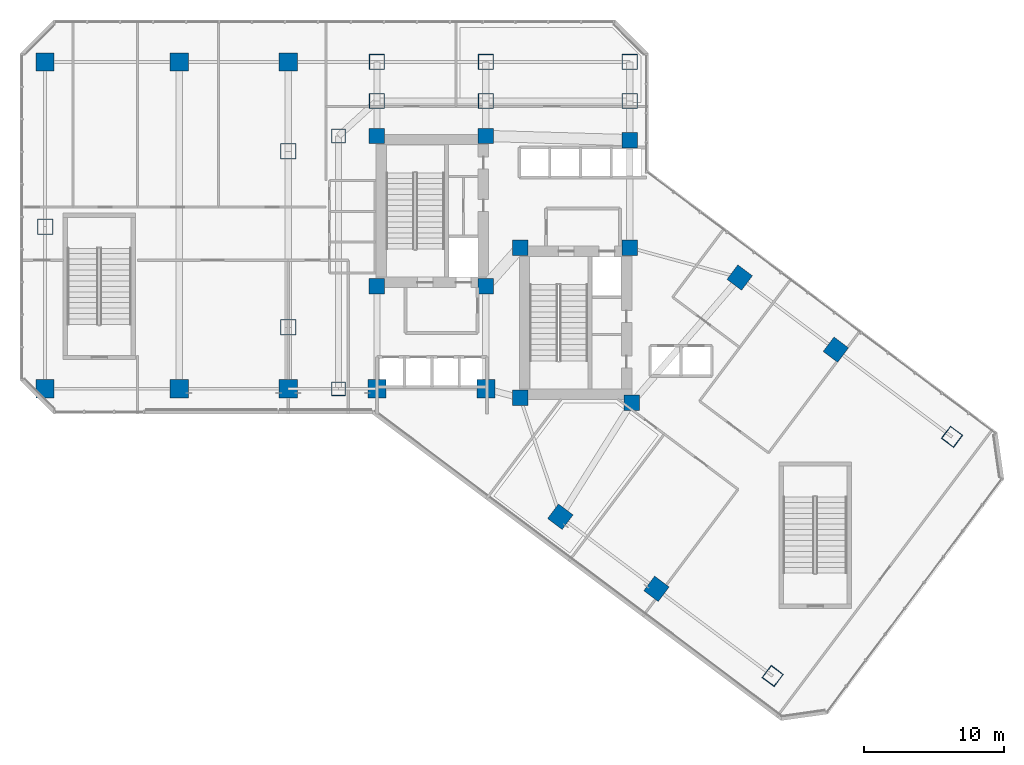
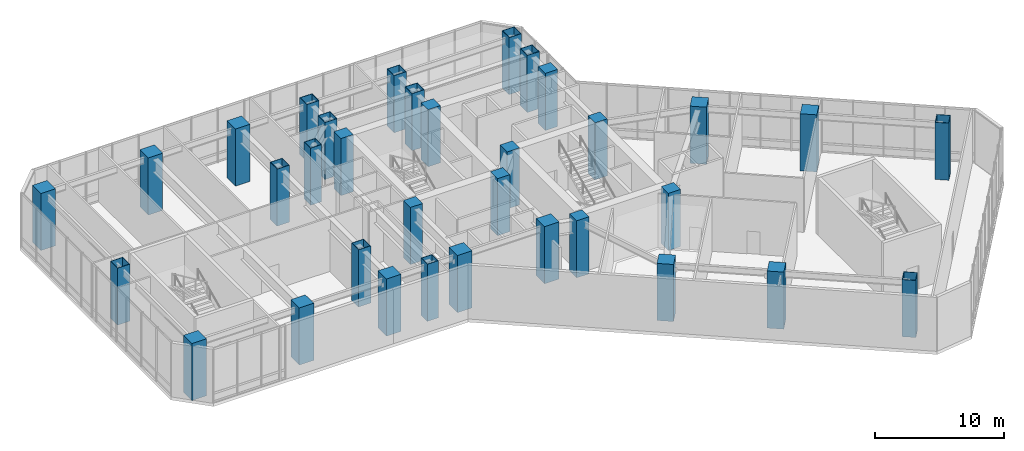
# One storey, part 1 of 35: 34 columns.
"""IFC4 building model written with IfcOpenShell, lengths in metres."""

import ifcopenshell
import ifcopenshell.guid

model = None  # the IFC model being written
_history = None  # IfcOwnerHistory: only IFC2X3 demands one
_inside = {}  # id of a spatial element -> (the spatial element, [elements in it])
_under = {}  # id of a project, library or spatial element -> (it, [spatial elements below it])
_declared = {}  # id of a project -> (the project, [libraries it declares])
_typed = {}  # id of a type object -> (the type object, [elements of that type])
_made_of = {}  # id of a material, layer set ... -> (it, [elements and type objects made of it])


def new_model(schema):
    """Start an empty IFC model of exactly this schema.

    Asked for "IFC4X3", IfcOpenShell would pick the latest addendum, in which some entities
    have other attributes; the version numbers below select the first issue.
    IFC2X3 requires an IfcOwnerHistory on every rooted entity: one is made here for all.
    """
    global model, _history
    if schema == "IFC4X3":
        model = ifcopenshell.file(schema_version=(4, 3, 0, 0))
    else:
        model = ifcopenshell.file(schema=schema)
    _inside.clear()
    _under.clear()
    _declared.clear()
    _typed.clear()
    _made_of.clear()
    _history = None
    if model.schema == "IFC2X3":
        org = make("IfcOrganization", Name="unknown")
        user = make(
            "IfcPersonAndOrganization",
            ThePerson=make("IfcPerson", FamilyName="unknown"),
            TheOrganization=org,
        )
        app = make(
            "IfcApplication",
            ApplicationDeveloper=org,
            Version="unknown",
            ApplicationFullName="unknown",
            ApplicationIdentifier="unknown",
        )
        _history = make(
            "IfcOwnerHistory",
            OwningUser=user,
            OwningApplication=app,
            ChangeAction="ADDED",
            CreationDate=0,
        )
    return model


def make(cls, **values):
    """One entity of the class cls with the attributes given. An attribute that is None is left unset."""
    return model.create_entity(
        cls, **{name: value for name, value in values.items() if value is not None}
    )


def rooted(cls, **values):
    """An entity with a GlobalId (a new one), such as an element, a storey or a relation."""
    return make(cls, GlobalId=ifcopenshell.guid.new(), OwnerHistory=_history, **values)


def si_unit(unit_type, name, prefix=None):
    """IfcSIUnit, for example si_unit("LENGTHUNIT", "METRE", prefix="MILLI")."""
    return make("IfcSIUnit", UnitType=unit_type, Prefix=prefix, Name=name)


def assignment(units):
    """IfcUnitAssignment: the units of a project."""
    return None if units is None else make("IfcUnitAssignment", Units=units)


def point(xyz):
    """IfcCartesianPoint."""
    return None if xyz is None else make("IfcCartesianPoint", Coordinates=xyz)


def direction(xyz):
    """IfcDirection."""
    return None if xyz is None else make("IfcDirection", DirectionRatios=xyz)


def frame(location, z_axis=None, x_axis=None):
    """IfcAxis2Placement3D, a coordinate frame: its origin and axes. An axis left out is left unset."""
    return make(
        "IfcAxis2Placement3D",
        Location=point(location),
        Axis=direction(z_axis),
        RefDirection=direction(x_axis),
    )


def frame_2d(location, x_axis=None):
    """IfcAxis2Placement2D, a coordinate frame in the plane: its origin and x axis."""
    return make(
        "IfcAxis2Placement2D", Location=point(location), RefDirection=direction(x_axis)
    )


def origin():
    """The frame at (0, 0, 0) with its axes left unset."""
    return frame((0.0, 0.0, 0.0))


def origin_2d():
    """The frame at (0, 0) in the plane with its x axis left unset."""
    return frame_2d((0.0, 0.0))


def place(relative_to, where):
    """IfcLocalPlacement: puts the frame where relative to a parent placement (None: the world)."""
    return make(
        "IfcLocalPlacement", PlacementRelTo=relative_to, RelativePlacement=where
    )


def context(
    kind, dimensions, precision=None, world=None, true_north=None, identifier=None
):
    """IfcGeometricRepresentationContext, for example the 3D "Model" context."""
    return make(
        "IfcGeometricRepresentationContext",
        ContextIdentifier=identifier,
        ContextType=kind,
        CoordinateSpaceDimension=dimensions,
        Precision=precision,
        WorldCoordinateSystem=world,
        TrueNorth=true_north,
    )


def subcontext(parent, identifier, kind, view, scale=None):
    """IfcGeometricRepresentationSubContext, for example "Body" below "Model"."""
    return make(
        "IfcGeometricRepresentationSubContext",
        ContextIdentifier=identifier,
        ContextType=kind,
        ParentContext=parent,
        TargetScale=scale,
        TargetView=view,
    )


def project(units=None, contexts=None):
    """IfcProject with its units and contexts."""
    return rooted(
        "IfcProject",
        Name="project",
        RepresentationContexts=contexts,
        UnitsInContext=assignment(units),
    )


def spatial(cls, under=None, at=None, **own):
    """A site, building, storey or space (cls), placed at a placement, below another one or the project."""
    s = rooted(cls, ObjectPlacement=at, **own)
    if under is not None:
        _under.setdefault(under.id(), (under, []))[1].append(s)
    return s


def profile(cls, at=None, kind="AREA", **sizes):
    """A parametric profile (cls). Its sizes go by their IFC names, for example OverallWidth=200.0."""
    return make(cls, ProfileType=kind, Position=at, **sizes)


def rectangle(**sizes):
    """IfcRectangleProfileDef."""
    return profile("IfcRectangleProfileDef", **sizes)


def hollow_rectangle(**sizes):
    """IfcRectangleHollowProfileDef."""
    return profile("IfcRectangleHollowProfileDef", **sizes)


def extrude(swept, where, along, depth):
    """IfcExtrudedAreaSolid: the profile swept, set in the frame where, extruded along a direction by depth."""
    return make(
        "IfcExtrudedAreaSolid",
        SweptArea=swept,
        Position=where,
        ExtrudedDirection=direction(along),
        Depth=depth,
    )


def shape(context_of_items, identifier, shape_type, items):
    """IfcShapeRepresentation: the items that make up one representation, for example the "Body"."""
    return make(
        "IfcShapeRepresentation",
        ContextOfItems=context_of_items,
        RepresentationIdentifier=identifier,
        RepresentationType=shape_type,
        Items=items,
    )


def material(Name=None, Category=None):
    """IfcMaterial."""
    return make("IfcMaterial", Name=Name, Category=Category)


def material_profile(
    of_material, cross_section, Name=None, Category=None, Priority=None
):
    """IfcMaterialProfile: a cross section and its material."""
    return make(
        "IfcMaterialProfile",
        Name=Name,
        Material=of_material,
        Profile=cross_section,
        Priority=Priority,
        Category=Category,
    )


def profile_set(profiles, Name=None, composite=None):
    """IfcMaterialProfileSet."""
    return make(
        "IfcMaterialProfileSet",
        Name=Name,
        MaterialProfiles=profiles,
        CompositeProfile=composite,
    )


def made_of(thing, what):
    """Note that an element or type object is made of a material, layer set ...; save() writes the relation."""
    if what is not None:
        _made_of.setdefault(what.id(), (what, []))[1].append(thing)
    return thing


def type_object(cls, material=None, **own):
    """A type object (cls), such as IfcWallType, which elements share."""
    return made_of(rooted(cls, **own), material)


def element(
    cls,
    number,
    at=None,
    inside=None,
    cuts=None,
    type_object=None,
    material=None,
    context=None,
    identifier="Body",
    shape_type=None,
    held_by="IfcProductDefinitionShape",
    body=None,
    shapes=None,
    **own,
):
    """One element of the class cls, such as IfcWall. Its Tag is "e" and its number.

    at: its placement. inside: the storey or other place that contains it. cuts: it is an
    opening in that element (IfcRelVoidsElement). A single representation is given by context,
    identifier, shape_type and body (its items); several are given by shapes. held_by: the class
    of the entity that holds the representations. save() writes the other relations.
    """
    e = rooted(cls, Tag="e%d" % number, ObjectPlacement=at, **own)
    if body is not None:
        shapes = [shape(context, identifier, shape_type, body)]
    if shapes is not None:
        e.Representation = make(held_by, Representations=shapes)
    if inside is not None:
        _inside.setdefault(inside.id(), (inside, []))[1].append(e)
    if cuts is not None:
        rooted(
            "IfcRelVoidsElement", RelatingBuildingElement=cuts, RelatedOpeningElement=e
        )
    if type_object is not None:
        _typed.setdefault(type_object.id(), (type_object, []))[1].append(e)
    return made_of(e, material)


def aggregate(whole, parts):
    """IfcRelAggregates: a whole, such as a stair, and the parts it consists of."""
    return rooted("IfcRelAggregates", RelatingObject=whole, RelatedObjects=parts)


def save(model, path):
    """Write the relations noted so far, then the file.

    IfcRelAggregates (storeys below a building ...), IfcRelContainedInSpatialStructure (elements
    in a storey), IfcRelDefinesByType, IfcRelAssociatesMaterial and IfcRelDeclares: one each for
    every whole, place, type object, material and project.
    """
    for whole, parts in _under.values():
        aggregate(whole, parts)
    for where, things in _inside.values():
        rooted(
            "IfcRelContainedInSpatialStructure",
            RelatedElements=things,
            RelatingStructure=where,
        )
    for kind, things in _typed.values():
        rooted("IfcRelDefinesByType", RelatedObjects=things, RelatingType=kind)
    for what, things in _made_of.values():
        rooted("IfcRelAssociatesMaterial", RelatedObjects=things, RelatingMaterial=what)
    for by, libraries in _declared.values():
        rooted("IfcRelDeclares", RelatingContext=by, RelatedDefinitions=libraries)
    model.write(path)


model = new_model("IFC4")

# Units and contexts
model_context = context("Model", 3, precision=1e-05, world=origin(), true_north=direction((0.0, 1.0)))
body_context = subcontext(model_context, "Body", "Model", "MODEL_VIEW")
ifc_project = project(units=[si_unit("LENGTHUNIT", "METRE"), si_unit("AREAUNIT", "SQUARE_METRE"), si_unit("VOLUMEUNIT", "CUBIC_METRE"), si_unit("PLANEANGLEUNIT", "RADIAN"), si_unit("MASSUNIT", "GRAM", prefix="KILO")], contexts=[model_context])

# Site, building, storey
site_placement = place(None, origin())
site = spatial("IfcSite", under=ifc_project, at=site_placement, CompositionType="ELEMENT")
building_placement = place(site_placement, origin())
building = spatial("IfcBuilding", under=site, at=building_placement, Name="Hatsunagi Terrace Concourse", CompositionType="ELEMENT")
storey_placement = place(building_placement, frame((0.0, 0.0, 16.199951171875)))
storey = spatial("IfcBuildingStorey", under=building, at=storey_placement, Name="L04", CompositionType="ELEMENT", Elevation=16.199951171875)

# Columns
ifc_material_1 = material(Name="Concrete Fc60", Category="concrete")
ifc_material_profile_1 = material_profile(ifc_material_1, rectangle(XDim=1.10009765625, YDim=1.10009765625, at=origin_2d()), Name="RC-1100x1100")
ifc_profile_set_1 = profile_set([ifc_material_profile_1], Name="Concrete Fc60")
column_type_1 = type_object("IfcColumnType", Name="CoreColumn_RC_1100x1100", PredefinedType="COLUMN", material=ifc_profile_set_1)
for number, where, z_axis, x_axis, name in (
    (1, (25.550048828125, 32.550048828125, 0.0), (0.0, 0.0, 1.0), (1.0, 0.0, 0.0), "Column C-01 L04-CASW"),
    (2, (33.35009765625, 32.550048828125, 0.0), (0.0, 0.0, 1.0), (1.0, 0.0, 0.0), "Column C-01 L04-CASE"),
    (3, (25.550048828125, 43.300048828125, 0.0), (0.0, 0.0, 1.0), (1.0, 0.0, 0.0), "Column C-01 L04-CANW"),
    (4, (33.35009765625, 43.300048828125, 0.0), (0.0, 0.0, 1.0), (1.0, 0.0, 0.0), "Column C-01 L04-CANE"),
    (5, (35.800048828125, 24.550048828125, 0.0), (0.0, 0.0, 1.0), (1.0, 0.0, 0.0), "Column C-01 L04-CBSW"),
    (6, (43.800048828125, 24.199951171875, 0.0), (0.0, 0.0, 1.0), (1.0, 0.0, 0.0), "Column C-01 L04-CBSE"),
    (7, (35.800048828125, 35.300048828125, 0.0), (0.0, 0.0, 1.0), (1.0, 0.0, 0.0), "Column C-01 L04-CBNW"),
    (8, (43.64990234375, 35.300048828125, 0.0), (0.0, 0.0, 1.0), (1.0, 0.0, 0.0), "Column C-01 L04-CBNE"),
    (9, (43.64990234375, 43.0, 0.0), (0.0, 0.0, 1.0), (1.0, 0.0, 0.0), "Column C-01 L04-K3"),
):
    element("IfcColumn", number, at=place(storey_placement, frame(where, z_axis=z_axis, x_axis=x_axis)), inside=storey, type_object=column_type_1, Name=name, PredefinedType="COLUMN", context=body_context, shape_type="SweptSolid", body=[
        extrude(rectangle(XDim=1.10009765625, YDim=1.10009765625, at=origin_2d()), origin(), (0.0, 0.0, 1.0), 5.400146484375),
    ])
ifc_material_2 = material(Name="Steel BCP325T", Category="steel")
ifc_material_profile_2 = material_profile(ifc_material_2, hollow_rectangle(XDim=1.10009765625, YDim=1.10009765625, WallThickness=0.0400390625, at=origin_2d()), Name="BCP-1100x1100x40")
ifc_profile_set_2 = profile_set([ifc_material_profile_2], Name="Steel BCP325T")
column_type_2 = type_object("IfcColumnType", Name="MegaColumn_BCP_1100x1100x40", PredefinedType="COLUMN", material=ifc_profile_set_2)
for number, where, z_axis, x_axis, name in (
    (10, (25.550048828125, 45.800048828125, 0.0), (0.0, 0.0, 1.0), (1.0, 0.0, 0.0), "Mega column MC-02 L04-CN1"),
    (11, (33.35009765625, 45.800048828125, 0.0), (0.0, 0.0, 1.0), (1.0, 0.0, 0.0), "Mega column MC-02 L04-CN2"),
    (12, (43.64990234375, 45.800048828125, 0.0), (0.0, 0.0, 1.0), (1.0, 0.0, 0.0), "Mega column MC-02 L04-CN3"),
    (13, (1.800048828125, 36.800048828125, 0.0), (0.0, 0.0, 1.0), (1.0, 0.0, 0.0), "Mega column MC-02 L04-WM0"),
    (14, (25.550048828125, 48.60009765625, 0.0), (0.0, 0.0, 1.0), (1.0, 0.0, 0.0), "Mega column MC-02 L04-WN4"),
    (15, (33.35009765625, 48.60009765625, 0.0), (0.0, 0.0, 1.0), (1.0, 0.0, 0.0), "Mega column MC-02 L04-WN5"),
    (16, (43.64990234375, 48.60009765625, 0.0), (0.0, 0.0, 1.0), (1.0, 0.0, 0.0), "Mega column MC-02 L04-WN6"),
    (17, (19.199951171875, 29.60009765625, 0.0), (0.0, 0.0, 1.0), (1.0, 0.0, 0.0), "Mega column MC-02 L04-WR1"),
    (18, (19.199951171875, 42.199951171875, 0.0), (0.0, 0.0, 1.0), (1.0, 0.0, 0.0), "Mega column MC-02 L04-WR2"),
    (19, (53.8798828125, 4.639892578125, 0.0), (0.0, 0.0, 1.0), (0.799999996291, -0.600000004945, 0.0), "Mega column MC-02 L04-SES3"),
    (20, (66.719970703125, 21.760009765625, 0.0), (0.0, 0.0, 1.0), (0.799999996291, -0.600000004945, 0.0), "Mega column MC-02 L04-SEN3"),
):
    element("IfcColumn", number, at=place(storey_placement, frame(where, z_axis=z_axis, x_axis=x_axis)), inside=storey, type_object=column_type_2, Name=name, PredefinedType="COLUMN", context=body_context, shape_type="SweptSolid", body=[
        extrude(hollow_rectangle(XDim=1.10009765625, YDim=1.10009765625, WallThickness=0.0400390625, at=origin_2d()), origin(), (0.0, 0.0, 1.0), 5.400146484375),
    ])
ifc_material_3 = material(Name="Concrete Fc60", Category="concrete")
ifc_material_profile_3 = material_profile(ifc_material_3, rectangle(XDim=1.300048828125, YDim=1.300048828125, at=origin_2d()), Name="RC-1300x1300")
ifc_profile_set_3 = profile_set([ifc_material_profile_3], Name="Concrete Fc60")
column_type_3 = type_object("IfcColumnType", Name="MegaColumn_RC_1300x1300", PredefinedType="COLUMN", material=ifc_profile_set_3)
for number, where, z_axis, x_axis, name in (
    (21, (25.550048828125, 25.199951171875, 0.0), (0.0, 0.0, 1.0), (1.0, 0.0, 0.0), "Mega column MC-01 L04-K1"),
    (22, (33.35009765625, 25.199951171875, 0.0), (0.0, 0.0, 1.0), (1.0, 0.0, 0.0), "Mega column MC-01 L04-K2"),
    (23, (1.800048828125, 25.199951171875, 0.0), (0.0, 0.0, 1.0), (1.0, 0.0, 0.0), "Mega column MC-01 L04-WS1"),
    (24, (1.800048828125, 48.60009765625, 0.0), (0.0, 0.0, 1.0), (1.0, 0.0, 0.0), "Mega column MC-01 L04-WN1"),
    (25, (11.39990234375, 25.199951171875, 0.0), (0.0, 0.0, 1.0), (1.0, 0.0, 0.0), "Mega column MC-01 L04-WS2"),
    (26, (11.39990234375, 48.60009765625, 0.0), (0.0, 0.0, 1.0), (1.0, 0.0, 0.0), "Mega column MC-01 L04-WN2"),
    (27, (19.199951171875, 48.60009765625, 0.0), (0.0, 0.0, 1.0), (1.0, 0.0, 0.0), "Mega column MC-01 L04-WN3"),
    (28, (19.199951171875, 25.199951171875, 0.0), (0.0, 0.0, 1.0), (1.0, 0.0, 0.0), "Mega column MC-01 L04-WS3"),
    (29, (38.679931640625, 16.0400390625, 0.0), (0.0, 0.0, 1.0), (0.799999996291, -0.600000004945, 0.0), "Mega column MC-01 L04-SES1"),
    (30, (51.52001953125, 33.159912109375, 0.0), (0.0, 0.0, 1.0), (0.799999996291, -0.600000004945, 0.0), "Mega column MC-01 L04-SEN1"),
    (31, (45.56005859375, 10.8798828125, 0.0), (0.0, 0.0, 1.0), (0.799999996291, -0.600000004945, 0.0), "Mega column MC-01 L04-SES2"),
    (32, (58.39990234375, 28.0, 0.0), (0.0, 0.0, 1.0), (0.799999996291, -0.600000004945, 0.0), "Mega column MC-01 L04-SEN2"),
):
    element("IfcColumn", number, at=place(storey_placement, frame(where, z_axis=z_axis, x_axis=x_axis)), inside=storey, type_object=column_type_3, Name=name, PredefinedType="COLUMN", context=body_context, shape_type="SweptSolid", body=[
        extrude(rectangle(XDim=1.300048828125, YDim=1.300048828125, at=origin_2d()), origin(), (0.0, 0.0, 1.0), 5.400146484375),
    ])
ifc_material_4 = material(Name="Steel BCP325T", Category="steel")
ifc_material_profile_4 = material_profile(ifc_material_4, hollow_rectangle(XDim=1.0, YDim=1.0, WallThickness=0.0380859375, at=origin_2d()), Name="BCP-1000x1000x38")
ifc_profile_set_4 = profile_set([ifc_material_profile_4], Name="Steel BCP325T")
column_type_4 = type_object("IfcColumnType", Name="TowerBoxColumn_1000x1000x38", PredefinedType="COLUMN", material=ifc_profile_set_4)
for number, where, z_axis, x_axis, name in (
    (33, (22.800048828125, 25.199951171875, 0.0), (0.0, 0.0, 1.0), (1.0, 0.0, 0.0), "Column C-03 L04-CW1"),
    (34, (22.800048828125, 43.300048828125, 0.0), (0.0, 0.0, 1.0), (1.0, 0.0, 0.0), "Column C-03 L04-CW2"),
):
    element("IfcColumn", number, at=place(storey_placement, frame(where, z_axis=z_axis, x_axis=x_axis)), inside=storey, type_object=column_type_4, Name=name, PredefinedType="COLUMN", context=body_context, shape_type="SweptSolid", body=[
        extrude(hollow_rectangle(XDim=1.0, YDim=1.0, WallThickness=0.0380859375, at=origin_2d()), origin(), (0.0, 0.0, 1.0), 5.400146484375),
    ])

save(model, "model.ifc")
